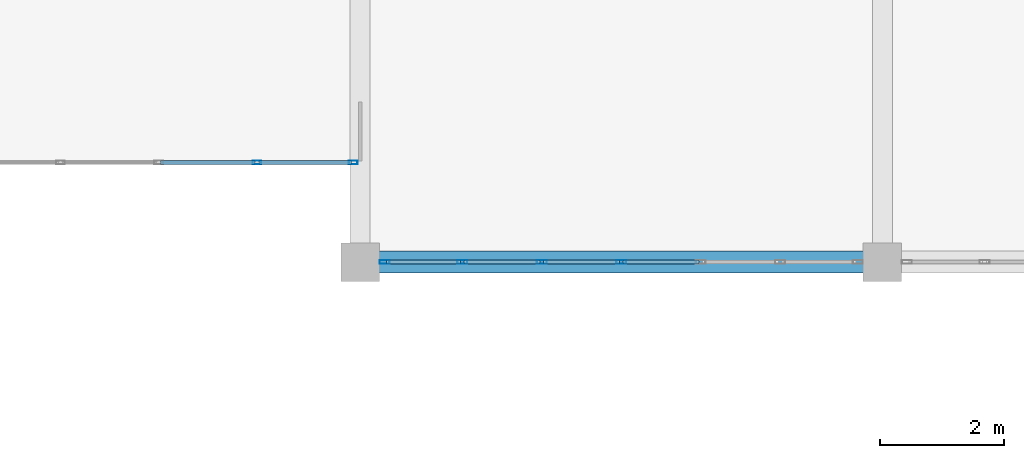
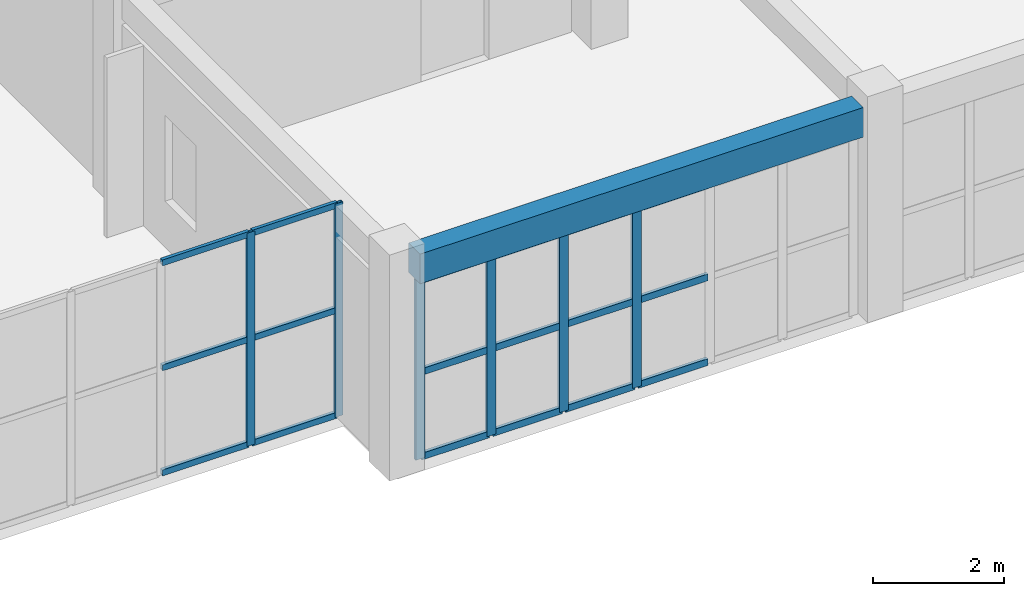
# One storey, part 15 of 81: 24 members, 1 beam, 2 elements without a shape of their own.
"""IFC4 building model written with IfcOpenShell, lengths in metres."""

from ifc_helpers import new_model, si_unit, direction, frame, origin, origin_2d, place, context, subcontext, project, spatial, rectangle, hollow_rectangle, extrude, material, layer, layer_set, material_profile, profile_set, type_object, element, aggregate, save


model = new_model("IFC4")

# Units and contexts
model_context = context("Model", 3, precision=1e-05, world=origin(), true_north=direction((0.0, 1.0)))
body_context = subcontext(model_context, "Body", "Model", "MODEL_VIEW")
ifc_project = project(units=[si_unit("LENGTHUNIT", "METRE"), si_unit("AREAUNIT", "SQUARE_METRE"), si_unit("VOLUMEUNIT", "CUBIC_METRE"), si_unit("PLANEANGLEUNIT", "RADIAN"), si_unit("MASSUNIT", "GRAM", prefix="KILO")], contexts=[model_context])

# Site, building, storey
site_placement = place(None, origin())
site = spatial("IfcSite", under=ifc_project, at=site_placement, CompositionType="ELEMENT")
building_placement = place(site_placement, origin())
building = spatial("IfcBuilding", under=site, at=building_placement, Name="Trelvath General Hospital", CompositionType="ELEMENT")
storey_placement = place(building_placement, frame((0.0, 0.0, 24.60009765625)))
storey = spatial("IfcBuildingStorey", under=building, at=storey_placement, Name="L06", CompositionType="ELEMENT", Elevation=24.60009765625)

# Beam
ifc_material_1 = material(Name="Concrete C35/45", Category="concrete")
ifc_material_profile_1 = material_profile(ifc_material_1, rectangle(XDim=0.35009765625, YDim=0.550048828125, at=origin_2d()), Name="RCB350x550")
ifc_profile_set_1 = profile_set([ifc_material_profile_1], Name="Concrete C35/45")
beam_type = type_object("IfcBeamType", Name="Beam RC350x550", PredefinedType="BEAM", material=ifc_profile_set_1)
beam_placement = place(storey_placement, frame((75.905029296875, 42.0, 3.64501953125), z_axis=(1.0, 0.0, 0.0), x_axis=(0.0, 1.0, 0.0)))
element("IfcBeam", 1, at=beam_placement, inside=storey, type_object=beam_type, Name="Grid Beam BX-609F", PredefinedType="BEAM", context=body_context, shape_type="SweptSolid", body=[
    extrude(rectangle(XDim=0.35009765625, YDim=0.550048828125, at=origin_2d()), origin(), (0.0, 0.0, 1.0), 7.7900390625),
])

# Curtain wall, members
ifc_material_2 = material(Name="Anodised aluminium and low-E glass", Category="aluminium")
ifc_layer_1 = layer(ifc_material_2, 0.139892578125)
ifc_layer_set_1 = layer_set([ifc_layer_1], Name="Anodised aluminium and low-E glass")
curtain_wall_type_1 = type_object("IfcCurtainWallType", Name="CW CrystalCube 790 396 14", PredefinedType="USERDEFINED", material=ifc_layer_set_1)
curtain_wall_1_placement = place(storey_placement, origin())
curtain_wall_1 = element("IfcCurtainWall", 2, at=curtain_wall_1_placement, inside=storey, type_object=curtain_wall_type_1, Name="Crystal Cube Curtain Wall CUBE-W-T2 S2 L06", ObjectType="Unitised Glazed Curtain Wall", PredefinedType="USERDEFINED")
ifc_material_3 = material(Name="Anodised aluminium", Category="aluminium")
ifc_material_profile_2 = material_profile(ifc_material_3, hollow_rectangle(XDim=0.06005859375, YDim=0.139892578125, WallThickness=0.00390625, at=origin_2d()), Name="RHS60x140x4")
ifc_profile_set_2 = profile_set([ifc_material_profile_2], Name="Anodised aluminium")
member_type_1 = type_object("IfcMemberType", Name="CurtainMullion 60x140", PredefinedType="MULLION", material=ifc_profile_set_2)
member_1_placement = place(storey_placement, frame((75.489990234375, 43.60009765625, 0.0), z_axis=(0.0, 0.0, 1.0), x_axis=(0.0, -1.0, 0.0)))
member_1 = element("IfcMember", 3, at=member_1_placement, type_object=member_type_1, Name="CW-325 mullion 1", PredefinedType="MULLION", context=body_context, shape_type="SweptSolid", body=[
    extrude(hollow_rectangle(XDim=0.06005859375, YDim=0.139892578125, WallThickness=0.00390625, at=origin_2d()), origin(), (0.0, 0.0, 1.0), 3.9599609375),
])
member_2_placement = place(storey_placement, frame((73.93994140625, 43.60009765625, 0.0), z_axis=(0.0, 0.0, 1.0), x_axis=(0.0, -1.0, 0.0)))
member_2 = element("IfcMember", 4, at=member_2_placement, type_object=member_type_1, Name="CW-325 mullion 2", PredefinedType="MULLION", context=body_context, shape_type="SweptSolid", body=[
    extrude(hollow_rectangle(XDim=0.06005859375, YDim=0.139892578125, WallThickness=0.00390625, at=origin_2d()), origin(), (0.0, 0.0, 1.0), 3.9599609375),
])

ifc_material_4 = material(Name="Anodised aluminium and low-E glass", Category="aluminium")
ifc_layer_2 = layer(ifc_material_4, 0.14990234375)
ifc_layer_set_2 = layer_set([ifc_layer_2], Name="Anodised aluminium and low-E glass")
curtain_wall_type_2 = type_object("IfcCurtainWallType", Name="CW Facade 767 334 15", PredefinedType="USERDEFINED", material=ifc_layer_set_2)
curtain_wall_2_placement = place(storey_placement, origin())
curtain_wall_2 = element("IfcCurtainWall", 5, at=curtain_wall_2_placement, inside=storey, type_object=curtain_wall_type_2, Name="Facade Curtain Wall CW-078", ObjectType="Unitised Glazed Curtain Wall", PredefinedType="USERDEFINED")
ifc_material_5 = material(Name="Anodised aluminium", Category="aluminium")
ifc_material_profile_3 = material_profile(ifc_material_5, hollow_rectangle(XDim=0.06005859375, YDim=0.159912109375, WallThickness=0.00390625, at=origin_2d()), Name="RHS60x160x4")
ifc_profile_set_3 = profile_set([ifc_material_profile_3], Name="Anodised aluminium")
member_type_2 = type_object("IfcMemberType", Name="CurtainMullion 60x160", PredefinedType="MULLION", material=ifc_profile_set_3)
member_3_placement = place(storey_placement, frame((79.800048828125, 42.0, 0.0), z_axis=(0.0, 0.0, 1.0), x_axis=(0.0, -1.0, 0.0)))
member_3 = element("IfcMember", 6, at=member_3_placement, type_object=member_type_2, Name="CW-078 mullion 4", PredefinedType="MULLION", context=body_context, shape_type="SweptSolid", body=[
    extrude(hollow_rectangle(XDim=0.06005859375, YDim=0.159912109375, WallThickness=0.00390625, at=origin_2d()), origin(), (0.0, 0.0, 1.0), 3.33984375),
])
member_4_placement = place(storey_placement, frame((78.521728515625, 42.0, 0.0), z_axis=(0.0, 0.0, 1.0), x_axis=(0.0, -1.0, 0.0)))
member_4 = element("IfcMember", 7, at=member_4_placement, type_object=member_type_2, Name="CW-078 mullion 5", PredefinedType="MULLION", context=body_context, shape_type="SweptSolid", body=[
    extrude(hollow_rectangle(XDim=0.06005859375, YDim=0.159912109375, WallThickness=0.00390625, at=origin_2d()), origin(), (0.0, 0.0, 1.0), 3.33984375),
])
member_5_placement = place(storey_placement, frame((77.243408203125, 42.0, 0.0), z_axis=(0.0, 0.0, 1.0), x_axis=(0.0, -1.0, 0.0)))
member_5 = element("IfcMember", 8, at=member_5_placement, type_object=member_type_2, Name="CW-078 mullion 6", PredefinedType="MULLION", context=body_context, shape_type="SweptSolid", body=[
    extrude(hollow_rectangle(XDim=0.06005859375, YDim=0.159912109375, WallThickness=0.00390625, at=origin_2d()), origin(), (0.0, 0.0, 1.0), 3.33984375),
])
member_6_placement = place(storey_placement, frame((75.9951171875, 42.0, 0.0), z_axis=(0.0, 0.0, 1.0), x_axis=(0.0, -1.0, 0.0)))
member_6 = element("IfcMember", 9, at=member_6_placement, type_object=member_type_2, Name="CW-078 mullion 7", PredefinedType="MULLION", context=body_context, shape_type="SweptSolid", body=[
    extrude(hollow_rectangle(XDim=0.06005859375, YDim=0.159912109375, WallThickness=0.00390625, at=origin_2d()), origin(), (0.0, 0.0, 1.0), 3.33984375),
])

# Member
ifc_material_6 = material(Name="Anodised aluminium", Category="aluminium")
ifc_material_profile_4 = material_profile(ifc_material_6, hollow_rectangle(XDim=0.06005859375, YDim=0.110107421875, WallThickness=0.00390625, at=origin_2d()), Name="RHS60x110x4")
ifc_profile_set_4 = profile_set([ifc_material_profile_4], Name="Anodised aluminium")
member_type_3 = type_object("IfcMemberType", Name="CurtainTransom 60x110", PredefinedType="USERDEFINED", material=ifc_profile_set_4)
member_7_placement = place(storey_placement, frame((75.4599609375, 43.60009765625, 0.02978515625), z_axis=(-1.0, 0.0, 0.0), x_axis=(0.0, -1.0, 0.0)))
member_7 = element("IfcMember", 10, at=member_7_placement, type_object=member_type_3, Name="CW-325 transom 1.1", ObjectType="TRANSOM", PredefinedType="USERDEFINED", context=body_context, shape_type="SweptSolid", body=[
    extrude(hollow_rectangle(XDim=0.06005859375, YDim=0.110107421875, WallThickness=0.00390625, at=origin_2d()), origin(), (0.0, 0.0, 1.0), 1.489990234375),
])

member_8_placement = place(storey_placement, frame((75.4599609375, 43.60009765625, 1.97998046875), z_axis=(-1.0, 0.0, 0.0), x_axis=(0.0, -1.0, 0.0)))
member_8 = element("IfcMember", 11, at=member_8_placement, type_object=member_type_3, Name="CW-325 transom 1.2", ObjectType="TRANSOM", PredefinedType="USERDEFINED", context=body_context, shape_type="SweptSolid", body=[
    extrude(hollow_rectangle(XDim=0.06005859375, YDim=0.110107421875, WallThickness=0.00390625, at=origin_2d()), origin(), (0.0, 0.0, 1.0), 1.489990234375),
])

member_9_placement = place(storey_placement, frame((75.4599609375, 43.60009765625, 3.929931640625), z_axis=(-1.0, 0.0, 0.0), x_axis=(0.0, -1.0, 0.0)))
member_9 = element("IfcMember", 12, at=member_9_placement, type_object=member_type_3, Name="CW-325 transom 1.3", ObjectType="TRANSOM", PredefinedType="USERDEFINED", context=body_context, shape_type="SweptSolid", body=[
    extrude(hollow_rectangle(XDim=0.06005859375, YDim=0.110107421875, WallThickness=0.00390625, at=origin_2d()), origin(), (0.0, 0.0, 1.0), 1.489990234375),
])

member_10_placement = place(storey_placement, frame((73.909912109375, 43.60009765625, 0.02978515625), z_axis=(-1.0, 0.0, 0.0), x_axis=(0.0, -1.0, 0.0)))
member_10 = element("IfcMember", 13, at=member_10_placement, type_object=member_type_3, Name="CW-325 transom 2.1", ObjectType="TRANSOM", PredefinedType="USERDEFINED", context=body_context, shape_type="SweptSolid", body=[
    extrude(hollow_rectangle(XDim=0.06005859375, YDim=0.110107421875, WallThickness=0.00390625, at=origin_2d()), origin(), (0.0, 0.0, 1.0), 1.52001953125),
])

member_11_placement = place(storey_placement, frame((73.909912109375, 43.60009765625, 1.97998046875), z_axis=(-1.0, 0.0, 0.0), x_axis=(0.0, -1.0, 0.0)))
member_11 = element("IfcMember", 14, at=member_11_placement, type_object=member_type_3, Name="CW-325 transom 2.2", ObjectType="TRANSOM", PredefinedType="USERDEFINED", context=body_context, shape_type="SweptSolid", body=[
    extrude(hollow_rectangle(XDim=0.06005859375, YDim=0.110107421875, WallThickness=0.00390625, at=origin_2d()), origin(), (0.0, 0.0, 1.0), 1.52001953125),
])

member_12_placement = place(storey_placement, frame((73.909912109375, 43.60009765625, 3.929931640625), z_axis=(-1.0, 0.0, 0.0), x_axis=(0.0, -1.0, 0.0)))
member_12 = element("IfcMember", 15, at=member_12_placement, type_object=member_type_3, Name="CW-325 transom 2.3", ObjectType="TRANSOM", PredefinedType="USERDEFINED", context=body_context, shape_type="SweptSolid", body=[
    extrude(hollow_rectangle(XDim=0.06005859375, YDim=0.110107421875, WallThickness=0.00390625, at=origin_2d()), origin(), (0.0, 0.0, 1.0), 1.52001953125),
])

aggregate(curtain_wall_1, [member_1, member_2, member_7, member_8, member_9, member_10, member_11, member_12])

ifc_material_7 = material(Name="Anodised aluminium", Category="aluminium")
ifc_material_profile_5 = material_profile(ifc_material_7, hollow_rectangle(XDim=0.06005859375, YDim=0.125, WallThickness=0.00390625, at=origin_2d()), Name="RHS60x125x4")
ifc_profile_set_5 = profile_set([ifc_material_profile_5], Name="Anodised aluminium")
member_type_4 = type_object("IfcMemberType", Name="CurtainTransom 60x125", PredefinedType="USERDEFINED", material=ifc_profile_set_5)
member_13_placement = place(storey_placement, frame((81.04833984375, 42.0, 0.02978515625), z_axis=(-1.0, 0.0, 0.0), x_axis=(0.0, -1.0, 0.0)))
member_13 = element("IfcMember", 16, at=member_13_placement, type_object=member_type_4, Name="CW-078 transom 3.1", ObjectType="TRANSOM", PredefinedType="USERDEFINED", context=body_context, shape_type="SweptSolid", body=[
    extrude(hollow_rectangle(XDim=0.06005859375, YDim=0.125, WallThickness=0.00390625, at=origin_2d()), origin(), (0.0, 0.0, 1.0), 1.21826171875),
])

member_14_placement = place(storey_placement, frame((81.04833984375, 42.0, 1.602783203125), z_axis=(-1.0, 0.0, 0.0), x_axis=(0.0, -1.0, 0.0)))
member_14 = element("IfcMember", 17, at=member_14_placement, type_object=member_type_4, Name="CW-078 transom 3.2", ObjectType="TRANSOM", PredefinedType="USERDEFINED", context=body_context, shape_type="SweptSolid", body=[
    extrude(hollow_rectangle(XDim=0.06005859375, YDim=0.125, WallThickness=0.00390625, at=origin_2d()), origin(), (0.0, 0.0, 1.0), 1.21826171875),
])

member_15_placement = place(storey_placement, frame((81.04833984375, 42.0, 3.309814453125), z_axis=(-1.0, 0.0, 0.0), x_axis=(0.0, -1.0, 0.0)))
member_15 = element("IfcMember", 18, at=member_15_placement, type_object=member_type_4, Name="CW-078 transom 3.3", ObjectType="TRANSOM", PredefinedType="USERDEFINED", context=body_context, shape_type="SweptSolid", body=[
    extrude(hollow_rectangle(XDim=0.06005859375, YDim=0.125, WallThickness=0.00390625, at=origin_2d()), origin(), (0.0, 0.0, 1.0), 1.21826171875),
])

member_16_placement = place(storey_placement, frame((79.77001953125, 42.0, 0.02978515625), z_axis=(-1.0, 0.0, 0.0), x_axis=(0.0, -1.0, 0.0)))
member_16 = element("IfcMember", 19, at=member_16_placement, type_object=member_type_4, Name="CW-078 transom 4.1", ObjectType="TRANSOM", PredefinedType="USERDEFINED", context=body_context, shape_type="SweptSolid", body=[
    extrude(hollow_rectangle(XDim=0.06005859375, YDim=0.125, WallThickness=0.00390625, at=origin_2d()), origin(), (0.0, 0.0, 1.0), 1.21826171875),
])

member_17_placement = place(storey_placement, frame((79.77001953125, 42.0, 1.602783203125), z_axis=(-1.0, 0.0, 0.0), x_axis=(0.0, -1.0, 0.0)))
member_17 = element("IfcMember", 20, at=member_17_placement, type_object=member_type_4, Name="CW-078 transom 4.2", ObjectType="TRANSOM", PredefinedType="USERDEFINED", context=body_context, shape_type="SweptSolid", body=[
    extrude(hollow_rectangle(XDim=0.06005859375, YDim=0.125, WallThickness=0.00390625, at=origin_2d()), origin(), (0.0, 0.0, 1.0), 1.21826171875),
])

member_18_placement = place(storey_placement, frame((79.77001953125, 42.0, 3.309814453125), z_axis=(-1.0, 0.0, 0.0), x_axis=(0.0, -1.0, 0.0)))
member_18 = element("IfcMember", 21, at=member_18_placement, type_object=member_type_4, Name="CW-078 transom 4.3", ObjectType="TRANSOM", PredefinedType="USERDEFINED", context=body_context, shape_type="SweptSolid", body=[
    extrude(hollow_rectangle(XDim=0.06005859375, YDim=0.125, WallThickness=0.00390625, at=origin_2d()), origin(), (0.0, 0.0, 1.0), 1.21826171875),
])

member_19_placement = place(storey_placement, frame((78.49169921875, 42.0, 0.02978515625), z_axis=(-1.0, 0.0, 0.0), x_axis=(0.0, -1.0, 0.0)))
member_19 = element("IfcMember", 22, at=member_19_placement, type_object=member_type_4, Name="CW-078 transom 5.1", ObjectType="TRANSOM", PredefinedType="USERDEFINED", context=body_context, shape_type="SweptSolid", body=[
    extrude(hollow_rectangle(XDim=0.06005859375, YDim=0.125, WallThickness=0.00390625, at=origin_2d()), origin(), (0.0, 0.0, 1.0), 1.21826171875),
])

member_20_placement = place(storey_placement, frame((78.49169921875, 42.0, 1.602783203125), z_axis=(-1.0, 0.0, 0.0), x_axis=(0.0, -1.0, 0.0)))
member_20 = element("IfcMember", 23, at=member_20_placement, type_object=member_type_4, Name="CW-078 transom 5.2", ObjectType="TRANSOM", PredefinedType="USERDEFINED", context=body_context, shape_type="SweptSolid", body=[
    extrude(hollow_rectangle(XDim=0.06005859375, YDim=0.125, WallThickness=0.00390625, at=origin_2d()), origin(), (0.0, 0.0, 1.0), 1.21826171875),
])

member_21_placement = place(storey_placement, frame((78.49169921875, 42.0, 3.309814453125), z_axis=(-1.0, 0.0, 0.0), x_axis=(0.0, -1.0, 0.0)))
member_21 = element("IfcMember", 24, at=member_21_placement, type_object=member_type_4, Name="CW-078 transom 5.3", ObjectType="TRANSOM", PredefinedType="USERDEFINED", context=body_context, shape_type="SweptSolid", body=[
    extrude(hollow_rectangle(XDim=0.06005859375, YDim=0.125, WallThickness=0.00390625, at=origin_2d()), origin(), (0.0, 0.0, 1.0), 1.21826171875),
])

member_22_placement = place(storey_placement, frame((77.21337890625, 42.0, 0.02978515625), z_axis=(-1.0, 0.0, 0.0), x_axis=(0.0, -1.0, 0.0)))
member_22 = element("IfcMember", 25, at=member_22_placement, type_object=member_type_4, Name="CW-078 transom 6.1", ObjectType="TRANSOM", PredefinedType="USERDEFINED", context=body_context, shape_type="SweptSolid", body=[
    extrude(hollow_rectangle(XDim=0.06005859375, YDim=0.125, WallThickness=0.00390625, at=origin_2d()), origin(), (0.0, 0.0, 1.0), 1.1884765625),
])

member_23_placement = place(storey_placement, frame((77.21337890625, 42.0, 1.602783203125), z_axis=(-1.0, 0.0, 0.0), x_axis=(0.0, -1.0, 0.0)))
member_23 = element("IfcMember", 26, at=member_23_placement, type_object=member_type_4, Name="CW-078 transom 6.2", ObjectType="TRANSOM", PredefinedType="USERDEFINED", context=body_context, shape_type="SweptSolid", body=[
    extrude(hollow_rectangle(XDim=0.06005859375, YDim=0.125, WallThickness=0.00390625, at=origin_2d()), origin(), (0.0, 0.0, 1.0), 1.1884765625),
])

member_24_placement = place(storey_placement, frame((77.21337890625, 42.0, 3.309814453125), z_axis=(-1.0, 0.0, 0.0), x_axis=(0.0, -1.0, 0.0)))
member_24 = element("IfcMember", 27, at=member_24_placement, type_object=member_type_4, Name="CW-078 transom 6.3", ObjectType="TRANSOM", PredefinedType="USERDEFINED", context=body_context, shape_type="SweptSolid", body=[
    extrude(hollow_rectangle(XDim=0.06005859375, YDim=0.125, WallThickness=0.00390625, at=origin_2d()), origin(), (0.0, 0.0, 1.0), 1.1884765625),
])

aggregate(curtain_wall_2, [member_3, member_4, member_5, member_6, member_13, member_14, member_15, member_16, member_17, member_18, member_19, member_20, member_21, member_22, member_23, member_24])

save(model, "model.ifc")
